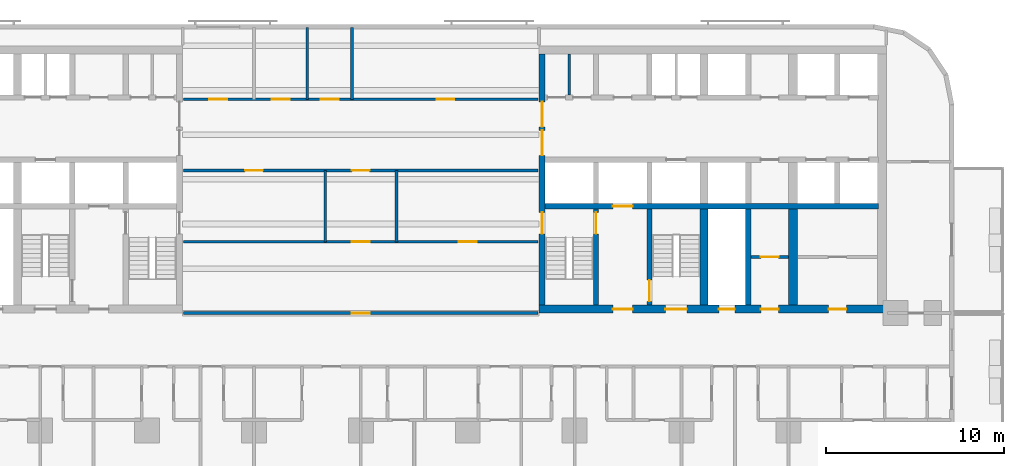
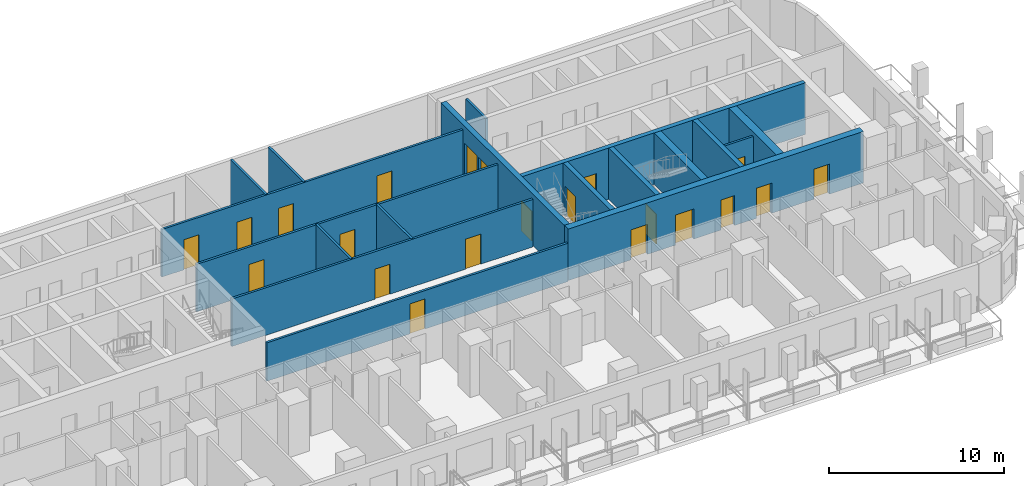
# One storey, part 7 of 15: 21 doors, 18 walls, 21 openings.
"""IFC4 building model written with IfcOpenShell, lengths in metres."""

from ifc_helpers import new_model, si_unit, direction, frame, frame_2d, origin, place, context, subcontext, project, spatial, rectangle, extrude, material, layer, layer_set, type_object, element, fill, save


model = new_model("IFC4")

# Units and contexts
model_context = context("Model", 3, precision=1e-05, world=origin(), true_north=direction((0.0, 1.0)))
body_context = subcontext(model_context, "Body", "Model", "MODEL_VIEW")
ifc_project = project(units=[si_unit("LENGTHUNIT", "METRE"), si_unit("AREAUNIT", "SQUARE_METRE"), si_unit("VOLUMEUNIT", "CUBIC_METRE"), si_unit("PLANEANGLEUNIT", "RADIAN"), si_unit("MASSUNIT", "GRAM", prefix="KILO")], contexts=[model_context])

# Site, building, storey
site_placement = place(None, origin())
site = spatial("IfcSite", under=ifc_project, at=site_placement, CompositionType="ELEMENT")
building_placement = place(site_placement, origin())
building = spatial("IfcBuilding", under=site, at=building_placement, Name="Torana Hotel and Residences", CompositionType="ELEMENT")
storey_placement = place(building_placement, frame((0.0, 0.0, 70.800048828125)))
storey = spatial("IfcBuildingStorey", under=building, at=storey_placement, Name="L17", CompositionType="ELEMENT", Elevation=70.800048828125)

# Wall, opening, door
ifc_material_1 = material(Name="Concrete C80/95", Category="concrete")
ifc_layer_1 = layer(ifc_material_1, 0.300048828125)
ifc_layer_set_1 = layer_set([ifc_layer_1], Name="CORE WALL 300 C80/95")
wall_type_1 = type_object("IfcWallType", Name="CORE WALL 300 C80/95", PredefinedType="SHEAR", material=ifc_layer_set_1)
wall_1_placement = place(storey_placement, frame((10.35009765625, -9.0, 0.0), z_axis=(0.0, 0.0, 1.0), x_axis=(1.0, 0.0, 0.0)))
wall_1 = element("IfcWall", 1, at=wall_1_placement, inside=storey, type_object=wall_type_1, Name="Core wall E band", PredefinedType="SHEAR", context=body_context, shape_type="SweptSolid", body=[
    extrude(rectangle(XDim=18.699951171875, YDim=0.300048828125, at=frame_2d((9.35009765625, 0.0))), origin(), (0.0, 0.0, 1.0), 3.599853515625),
])
opening_1_placement = place(wall_1_placement, frame((3.800048828125, 0.0, 0.0)))
opening_1 = element("IfcOpeningElement", 2, at=opening_1_placement, cuts=wall_1, Name="Opening LD", PredefinedType="OPENING", context=body_context, shape_type="SweptSolid", body=[
    extrude(rectangle(XDim=1.10009765625, YDim=2.10009765625, at=frame_2d((0.550048828125, 1.050048828125))), frame((0.0, 0.159912109375, 0.0), z_axis=(0.0, -1.0, 0.0), x_axis=(1.0, 0.0, 0.0)), (0.0, 0.0, 1.0), 0.320068359375),
])
ifc_material_2 = material(Name="Stainless steel 316", Category="steel")
door_type_1 = type_object("IfcDoorType", Name="LIFT LANDING DOOR LD 1100x2100", OperationType="DOUBLE_DOOR_SLIDING", PredefinedType="USERDEFINED", material=ifc_material_2)
door_1_placement = place(opening_1_placement, origin())
door_1 = element("IfcDoor", 3, at=door_1_placement, inside=storey, type_object=door_type_1, Name="Lift landing door FF2 L17", ObjectType="LIFT LANDING DOOR", OperationType="DOUBLE_DOOR_SLIDING", OverallHeight=2.10009765625, OverallWidth=1.10009765625, PredefinedType="USERDEFINED", context=body_context, shape_type="SweptSolid", body=[
    extrude(rectangle(XDim=1.10009765625, YDim=2.10009765625, at=frame_2d((0.550048828125, 1.050048828125))), frame((0.0, 0.02490234375, 0.0), z_axis=(0.0, -1.0, 0.0), x_axis=(1.0, 0.0, 0.0)), (0.0, 0.0, 1.0), 0.050048828125),
])
fill(opening_1, door_1)

wall_2_placement = place(storey_placement, frame((13.199951171875, -14.550048828125, 0.0), z_axis=(0.0, 0.0, 1.0), x_axis=(0.0, 1.0, 0.0)))
wall_2 = element("IfcWall", 4, at=wall_2_placement, inside=storey, type_object=wall_type_1, Name="Core wall E x3.05-band", PredefinedType="SHEAR", context=body_context, shape_type="SweptSolid", body=[
    extrude(rectangle(XDim=5.400146484375, YDim=0.300048828125, at=frame_2d((2.7001953125, 0.0))), origin(), (0.0, 0.0, 1.0), 3.599853515625),
])
opening_2_placement = place(wall_2_placement, frame((4.0, 0.0, 0.0)))
opening_2 = element("IfcOpeningElement", 5, at=opening_2_placement, cuts=wall_2, Name="Opening L17-33", PredefinedType="OPENING", context=body_context, shape_type="SweptSolid", body=[
    extrude(rectangle(XDim=1.199951171875, YDim=2.10009765625, at=frame_2d((0.60009765625, 1.050048828125))), frame((0.0, 0.159912109375, 0.0), z_axis=(0.0, -1.0, 0.0), x_axis=(1.0, 0.0, 0.0)), (0.0, 0.0, 1.0), 0.320068359375),
])
ifc_material_3 = material(Name="Steel S235", Category="steel")
door_type_2 = type_object("IfcDoorType", Name="STAIR FIRE DOOR D3 1200x2100", OperationType="SINGLE_SWING_LEFT", PredefinedType="DOOR", material=ifc_material_3)
door_2_placement = place(opening_2_placement, origin())
door_2 = element("IfcDoor", 6, at=door_2_placement, inside=storey, type_object=door_type_2, Name="Stair-A-lobby door L17", OperationType="SINGLE_SWING_LEFT", OverallHeight=2.10009765625, OverallWidth=1.199951171875, PredefinedType="DOOR", context=body_context, shape_type="SweptSolid", body=[
    extrude(rectangle(XDim=1.199951171875, YDim=2.10009765625, at=frame_2d((0.60009765625, 1.050048828125))), frame((0.0, 0.02490234375, 0.0), z_axis=(0.0, -1.0, 0.0), x_axis=(1.0, 0.0, 0.0)), (0.0, 0.0, 1.0), 0.050048828125),
])
fill(opening_2, door_2)

wall_3_placement = place(storey_placement, frame((16.199951171875, -14.550048828125, 0.0), z_axis=(0.0, 0.0, 1.0), x_axis=(0.0, 1.0, 0.0)))
wall_3 = element("IfcWall", 7, at=wall_3_placement, inside=storey, type_object=wall_type_1, Name="Core wall E x6.05-band", PredefinedType="SHEAR", context=body_context, shape_type="SweptSolid", body=[
    extrude(rectangle(XDim=5.400146484375, YDim=0.300048828125, at=frame_2d((2.7001953125, 0.0))), origin(), (0.0, 0.0, 1.0), 3.599853515625),
])
opening_3_placement = place(wall_3_placement, frame((0.199951171875, 0.0, 0.0)))
opening_3 = element("IfcOpeningElement", 8, at=opening_3_placement, cuts=wall_3, Name="Opening L17-34", PredefinedType="OPENING", context=body_context, shape_type="SweptSolid", body=[
    extrude(rectangle(XDim=1.199951171875, YDim=2.10009765625, at=frame_2d((0.60009765625, 1.050048828125))), frame((0.0, 0.159912109375, 0.0), z_axis=(0.0, -1.0, 0.0), x_axis=(1.0, 0.0, 0.0)), (0.0, 0.0, 1.0), 0.320068359375),
])
door_3_placement = place(opening_3_placement, frame((0.60009765625, 0.0, 0.0), z_axis=(0.0, 0.0, 1.0), x_axis=(-1.0, 0.0, 0.0)))
door_3 = element("IfcDoor", 9, at=door_3_placement, inside=storey, type_object=door_type_2, Name="Stair-B-lobby door L17", OperationType="SINGLE_SWING_LEFT", OverallHeight=2.10009765625, OverallWidth=1.199951171875, PredefinedType="DOOR", context=body_context, shape_type="SweptSolid", body=[
    extrude(rectangle(XDim=1.199951171875, YDim=2.10009765625, at=frame_2d((0.0, 1.050048828125))), frame((0.0, -0.02490234375, 0.0), z_axis=(0.0, 1.0, 0.0), x_axis=(-1.0, 0.0, 0.0)), (0.0, 0.0, 1.0), 0.050048828125),
])
fill(opening_3, door_3)

# Wall
wall_4_placement = place(storey_placement, frame((21.75, -14.550048828125, 0.0), z_axis=(0.0, 0.0, 1.0), x_axis=(0.0, 1.0, 0.0)))
element("IfcWall", 10, at=wall_4_placement, inside=storey, type_object=wall_type_1, Name="Core wall E mm-band", PredefinedType="SHEAR", context=body_context, shape_type="SweptSolid", body=[
    extrude(rectangle(XDim=5.400146484375, YDim=0.300048828125, at=frame_2d((2.7001953125, 0.0))), origin(), (0.0, 0.0, 1.0), 3.599853515625),
])

# Wall, openings, doors
ifc_material_4 = material(Name="Concrete C80/95", Category="concrete")
ifc_layer_2 = layer(ifc_material_4, 0.35009765625)
ifc_layer_set_2 = layer_set([ifc_layer_2], Name="CORE WALL 350 C80/95")
wall_type_2 = type_object("IfcWallType", Name="CORE WALL 350 C80/95", PredefinedType="SHEAR", material=ifc_layer_set_2)
wall_5_placement = place(storey_placement, frame((10.175048828125, -14.550048828125, 0.0), z_axis=(0.0, 0.0, 1.0), x_axis=(0.0, 1.0, 0.0)))
wall_5 = element("IfcWall", 11, at=wall_5_placement, inside=storey, type_object=wall_type_2, Name="Core wall E arch", PredefinedType="SHEAR", context=body_context, shape_type="SweptSolid", body=[
    extrude(rectangle(XDim=14.10009765625, YDim=0.35009765625, at=frame_2d((7.050048828125, 0.0))), origin(), (0.0, 0.0, 1.0), 3.599853515625),
])
opening_4_placement = place(wall_5_placement, frame((8.39990234375, 0.0, 0.0)))
opening_4 = element("IfcOpeningElement", 12, at=opening_4_placement, cuts=wall_5, Name="Opening L17-18", PredefinedType="OPENING", context=body_context, shape_type="SweptSolid", body=[
    extrude(rectangle(XDim=1.39990234375, YDim=2.39990234375, at=frame_2d((0.699951171875, 1.199951171875))), frame((0.0, 0.18505859375, 0.0), z_axis=(0.0, -1.0, 0.0), x_axis=(1.0, 0.0, 0.0)), (0.0, 0.0, 1.0), 0.3701171875),
])
opening_5_placement = place(wall_5_placement, frame((10.0, 0.0, 0.0)))
opening_5 = element("IfcOpeningElement", 13, at=opening_5_placement, cuts=wall_5, Name="Opening L17-19", PredefinedType="OPENING", context=body_context, shape_type="SweptSolid", body=[
    extrude(rectangle(XDim=1.39990234375, YDim=2.39990234375, at=frame_2d((0.699951171875, 1.199951171875))), frame((0.0, 0.18505859375, 0.0), z_axis=(0.0, -1.0, 0.0), x_axis=(1.0, 0.0, 0.0)), (0.0, 0.0, 1.0), 0.3701171875),
])
opening_6_placement = place(wall_5_placement, frame((4.0, 0.0, 0.0)))
opening_6 = element("IfcOpeningElement", 14, at=opening_6_placement, cuts=wall_5, Name="Opening L17-20", PredefinedType="OPENING", context=body_context, shape_type="SweptSolid", body=[
    extrude(rectangle(XDim=1.199951171875, YDim=2.10009765625, at=frame_2d((0.60009765625, 1.050048828125))), frame((0.0, 0.18505859375, 0.0), z_axis=(0.0, -1.0, 0.0), x_axis=(1.0, 0.0, 0.0)), (0.0, 0.0, 1.0), 0.3701171875),
])
ifc_material_5 = material(Name="Steel S235", Category="steel")
door_type_3 = type_object("IfcDoorType", Name="LOBBY FIRE DOOR D4 1400x2400", OperationType="DOUBLE_DOOR_SINGLE_SWING", PredefinedType="DOOR", material=ifc_material_5)
door_4_placement = place(opening_4_placement, origin())
door_4 = element("IfcDoor", 15, at=door_4_placement, inside=storey, type_object=door_type_3, Name="Lobby-1 door L17", OperationType="DOUBLE_DOOR_SINGLE_SWING", OverallHeight=2.39990234375, OverallWidth=1.39990234375, PredefinedType="DOOR", context=body_context, shape_type="SweptSolid", body=[
    extrude(rectangle(XDim=1.39990234375, YDim=2.39990234375, at=frame_2d((0.699951171875, 1.199951171875))), frame((0.0, 0.02490234375, 0.0), z_axis=(0.0, -1.0, 0.0), x_axis=(1.0, 0.0, 0.0)), (0.0, 0.0, 1.0), 0.050048828125),
])
fill(opening_4, door_4)
door_5_placement = place(opening_5_placement, origin())
door_5 = element("IfcDoor", 16, at=door_5_placement, inside=storey, type_object=door_type_3, Name="Lobby-2 door L17", OperationType="DOUBLE_DOOR_SINGLE_SWING", OverallHeight=2.39990234375, OverallWidth=1.39990234375, PredefinedType="DOOR", context=body_context, shape_type="SweptSolid", body=[
    extrude(rectangle(XDim=1.39990234375, YDim=2.39990234375, at=frame_2d((0.699951171875, 1.199951171875))), frame((0.0, 0.02490234375, 0.0), z_axis=(0.0, -1.0, 0.0), x_axis=(1.0, 0.0, 0.0)), (0.0, 0.0, 1.0), 0.050048828125),
])
fill(opening_5, door_5)
door_6_placement = place(opening_6_placement, frame((0.60009765625, 0.0, 0.0), z_axis=(0.0, 0.0, 1.0), x_axis=(-1.0, 0.0, 0.0)))
door_6 = element("IfcDoor", 17, at=door_6_placement, inside=storey, type_object=door_type_2, Name="Stair-A door L17", OperationType="SINGLE_SWING_RIGHT", OverallHeight=2.10009765625, OverallWidth=1.199951171875, PredefinedType="DOOR", context=body_context, shape_type="SweptSolid", body=[
    extrude(rectangle(XDim=1.199951171875, YDim=2.10009765625, at=frame_2d((0.0, 1.050048828125))), frame((0.0, -0.02490234375, 0.0), z_axis=(0.0, 1.0, 0.0), x_axis=(-1.0, 0.0, 0.0)), (0.0, 0.0, 1.0), 0.050048828125),
])
fill(opening_6, door_6)

ifc_material_6 = material(Name="Concrete C80/95", Category="concrete")
ifc_layer_3 = layer(ifc_material_6, 0.449951171875)
ifc_layer_set_3 = layer_set([ifc_layer_3], Name="CORE WALL 450 C80/95")
wall_type_3 = type_object("IfcWallType", Name="CORE WALL 450 C80/95", PredefinedType="SHEAR", material=ifc_layer_set_3)
wall_6_placement = place(storey_placement, frame((10.0, -14.77490234375, 0.0), z_axis=(0.0, 0.0, 1.0), x_axis=(1.0, 0.0, 0.0)))
wall_6 = element("IfcWall", 18, at=wall_6_placement, inside=storey, type_object=wall_type_3, Name="Core wall E front", PredefinedType="SHEAR", context=body_context, shape_type="SweptSolid", body=[
    extrude(rectangle(XDim=19.5, YDim=0.449951171875, at=frame_2d((9.75, 0.0))), origin(), (0.0, 0.0, 1.0), 3.599853515625),
])
opening_7_placement = place(wall_6_placement, frame((7.10009765625, 0.0, 0.0)))
opening_7 = element("IfcOpeningElement", 19, at=opening_7_placement, cuts=wall_6, Name="Opening L17-21", PredefinedType="OPENING", context=body_context, shape_type="SweptSolid", body=[
    extrude(rectangle(XDim=1.199951171875, YDim=2.10009765625, at=frame_2d((0.60009765625, 1.050048828125))), frame((0.0, 0.23486328125, 0.0), z_axis=(0.0, -1.0, 0.0), x_axis=(1.0, 0.0, 0.0)), (0.0, 0.0, 1.0), 0.469970703125),
])
opening_8_placement = place(wall_6_placement, frame((4.14990234375, 0.0, 0.0)))
opening_8 = element("IfcOpeningElement", 20, at=opening_8_placement, cuts=wall_6, Name="Opening L17-22", PredefinedType="OPENING", context=body_context, shape_type="SweptSolid", body=[
    extrude(rectangle(XDim=1.10009765625, YDim=2.10009765625, at=frame_2d((0.550048828125, 1.050048828125))), frame((0.0, 0.23486328125, 0.0), z_axis=(0.0, -1.0, 0.0), x_axis=(1.0, 0.0, 0.0)), (0.0, 0.0, 1.0), 0.469970703125),
])
opening_9_placement = place(wall_6_placement, frame((10.10009765625, 0.0, 0.0)))
opening_9 = element("IfcOpeningElement", 21, at=opening_9_placement, cuts=wall_6, Name="Opening L17-23", PredefinedType="OPENING", context=body_context, shape_type="SweptSolid", body=[
    extrude(rectangle(XDim=0.89990234375, YDim=2.10009765625, at=frame_2d((0.449951171875, 1.050048828125))), frame((0.0, 0.23486328125, 0.0), z_axis=(0.0, -1.0, 0.0), x_axis=(1.0, 0.0, 0.0)), (0.0, 0.0, 1.0), 0.469970703125),
])
opening_10_placement = place(wall_6_placement, frame((12.449951171875, 0.0, 0.0)))
opening_10 = element("IfcOpeningElement", 22, at=opening_10_placement, cuts=wall_6, Name="Opening L17-24", PredefinedType="OPENING", context=body_context, shape_type="SweptSolid", body=[
    extrude(rectangle(XDim=1.0, YDim=2.10009765625, at=frame_2d((0.5, 1.050048828125))), frame((0.0, 0.23486328125, 0.0), z_axis=(0.0, -1.0, 0.0), x_axis=(1.0, 0.0, 0.0)), (0.0, 0.0, 1.0), 0.469970703125),
])
opening_11_placement = place(wall_6_placement, frame((16.25, 0.0, 0.0)))
opening_11 = element("IfcOpeningElement", 23, at=opening_11_placement, cuts=wall_6, Name="Opening L17-25", PredefinedType="OPENING", context=body_context, shape_type="SweptSolid", body=[
    extrude(rectangle(XDim=1.0, YDim=2.10009765625, at=frame_2d((0.5, 1.050048828125))), frame((0.0, 0.23486328125, 0.0), z_axis=(0.0, -1.0, 0.0), x_axis=(1.0, 0.0, 0.0)), (0.0, 0.0, 1.0), 0.469970703125),
])
ifc_material_7 = material(Name="Steel S235", Category="steel")
door_type_4 = type_object("IfcDoorType", Name="CORE ROOM FIRE DOOR D14 1000x2100", OperationType="SINGLE_SWING_LEFT", PredefinedType="DOOR", material=ifc_material_7)
door_7_placement = place(opening_10_placement, origin())
door_7 = element("IfcDoor", 24, at=door_7_placement, inside=storey, type_object=door_type_4, Name="M-Room-B door L17", OperationType="SINGLE_SWING_RIGHT", OverallHeight=2.10009765625, OverallWidth=1.0, PredefinedType="DOOR", context=body_context, shape_type="SweptSolid", body=[
    extrude(rectangle(XDim=1.0, YDim=2.10009765625, at=frame_2d((0.5, 1.050048828125))), frame((0.0, 0.02490234375, 0.0), z_axis=(0.0, -1.0, 0.0), x_axis=(1.0, 0.0, 0.0)), (0.0, 0.0, 1.0), 0.050048828125),
])
fill(opening_10, door_7)
door_8_placement = place(opening_11_placement, origin())
door_8 = element("IfcDoor", 25, at=door_8_placement, inside=storey, type_object=door_type_4, Name="L-B door L17", OperationType="SINGLE_SWING_RIGHT", OverallHeight=2.10009765625, OverallWidth=1.0, PredefinedType="DOOR", context=body_context, shape_type="SweptSolid", body=[
    extrude(rectangle(XDim=1.0, YDim=2.10009765625, at=frame_2d((0.5, 1.050048828125))), frame((0.0, 0.02490234375, 0.0), z_axis=(0.0, -1.0, 0.0), x_axis=(1.0, 0.0, 0.0)), (0.0, 0.0, 1.0), 0.050048828125),
])
fill(opening_11, door_8)
ifc_material_8 = material(Name="Steel S235", Category="steel")
door_type_5 = type_object("IfcDoorType", Name="FIRE-FIGHTING LOBBY DOOR D8 1100x2100", OperationType="SINGLE_SWING_LEFT", PredefinedType="DOOR", material=ifc_material_8)
door_9_placement = place(opening_8_placement, origin())
door_9 = element("IfcDoor", 26, at=door_9_placement, inside=storey, type_object=door_type_5, Name="FF-lobby door L17", OperationType="SINGLE_SWING_RIGHT", OverallHeight=2.10009765625, OverallWidth=1.10009765625, PredefinedType="DOOR", context=body_context, shape_type="SweptSolid", body=[
    extrude(rectangle(XDim=1.10009765625, YDim=2.10009765625, at=frame_2d((0.550048828125, 1.050048828125))), frame((0.0, 0.02490234375, 0.0), z_axis=(0.0, -1.0, 0.0), x_axis=(1.0, 0.0, 0.0)), (0.0, 0.0, 1.0), 0.050048828125),
])
fill(opening_8, door_9)
ifc_material_9 = material(Name="Steel S235", Category="steel")
door_type_6 = type_object("IfcDoorType", Name="RISER ACCESS DOOR D5 900x2100", OperationType="SINGLE_SWING_LEFT", PredefinedType="DOOR", material=ifc_material_9)
door_10_placement = place(opening_9_placement, origin())
door_10 = element("IfcDoor", 27, at=door_10_placement, inside=storey, type_object=door_type_6, Name="M-Riser door L17", OperationType="SINGLE_SWING_RIGHT", OverallHeight=2.10009765625, OverallWidth=0.89990234375, PredefinedType="DOOR", context=body_context, shape_type="SweptSolid", body=[
    extrude(rectangle(XDim=0.89990234375, YDim=2.10009765625, at=frame_2d((0.449951171875, 1.050048828125))), frame((0.0, 0.02490234375, 0.0), z_axis=(0.0, -1.0, 0.0), x_axis=(1.0, 0.0, 0.0)), (0.0, 0.0, 1.0), 0.050048828125),
])
fill(opening_9, door_10)
door_11_placement = place(opening_7_placement, origin())
door_11 = element("IfcDoor", 28, at=door_11_placement, inside=storey, type_object=door_type_2, Name="Stair-B door L17", OperationType="SINGLE_SWING_RIGHT", OverallHeight=2.10009765625, OverallWidth=1.199951171875, PredefinedType="DOOR", context=body_context, shape_type="SweptSolid", body=[
    extrude(rectangle(XDim=1.199951171875, YDim=2.10009765625, at=frame_2d((0.60009765625, 1.050048828125))), frame((0.0, 0.02490234375, 0.0), z_axis=(0.0, -1.0, 0.0), x_axis=(1.0, 0.0, 0.0)), (0.0, 0.0, 1.0), 0.050048828125),
])
fill(opening_7, door_11)

# Walls
wall_7_placement = place(storey_placement, frame((19.27490234375, -14.550048828125, 0.0), z_axis=(0.0, 0.0, 1.0), x_axis=(0.0, 1.0, 0.0)))
element("IfcWall", 29, at=wall_7_placement, inside=storey, type_object=wall_type_3, Name="Core wall E hm-band", PredefinedType="SHEAR", context=body_context, shape_type="SweptSolid", body=[
    extrude(rectangle(XDim=5.400146484375, YDim=0.449951171875, at=frame_2d((2.7001953125, 0.0))), origin(), (0.0, 0.0, 1.0), 3.599853515625),
])
ifc_material_10 = material(Name="Concrete C80/95", Category="concrete")
ifc_layer_4 = layer(ifc_material_10, 0.5)
ifc_layer_set_4 = layer_set([ifc_layer_4], Name="CORE WALL 500 C80/95")
wall_type_4 = type_object("IfcWallType", Name="CORE WALL 500 C80/95", PredefinedType="SHEAR", material=ifc_layer_set_4)
wall_8_placement = place(storey_placement, frame((24.25, -14.550048828125, 0.0), z_axis=(0.0, 0.0, 1.0), x_axis=(0.0, 1.0, 0.0)))
element("IfcWall", 30, at=wall_8_placement, inside=storey, type_object=wall_type_4, Name="Core wall E ml-band", PredefinedType="SHEAR", context=body_context, shape_type="SweptSolid", body=[
    extrude(rectangle(XDim=5.400146484375, YDim=0.5, at=frame_2d((2.7001953125, 0.0))), origin(), (0.0, 0.0, 1.0), 3.599853515625),
])
ifc_material_11 = material(Name="Gypsum plaster")
ifc_layer_5 = layer(ifc_material_11, 0.014892578125, Name="Plaster", Category="finish")
ifc_material_12 = material(Name="Concrete blockwork", Category="masonry")
ifc_layer_6 = layer(ifc_material_12, 0.1201171875, Name="Blockwork", Category="structure")
ifc_layer_7 = layer(ifc_material_11, 0.014892578125, Name="Plaster", Category="finish")
ifc_layer_set_5 = layer_set([ifc_layer_5, ifc_layer_6, ifc_layer_7], Name="FIRE PARTITION 150 BLOCKWORK")
wall_type_5 = type_object("IfcWallType", Name="FIRE PARTITION 150 BLOCKWORK", PredefinedType="PARTITIONING", material=ifc_layer_set_5)
wall_9_placement = place(storey_placement, frame((11.699951171875, -2.75, 0.0), z_axis=(0.0, 0.0, 1.0), x_axis=(0.0, 1.0, 0.0)))
element("IfcWall", 31, at=wall_9_placement, inside=storey, type_object=wall_type_5, Name="Core partition L17", PredefinedType="PARTITIONING", context=body_context, shape_type="SweptSolid", body=[
    extrude(rectangle(XDim=2.300048828125, YDim=0.14990234375, at=frame_2d((1.14990234375, 0.0))), origin(), (0.0, 0.0, 1.0), 3.300048828125),
])

# Wall, opening, door
wall_10_placement = place(storey_placement, frame((21.89990234375, -11.85009765625, 0.0), z_axis=(0.0, 0.0, 1.0), x_axis=(1.0, 0.0, 0.0)))
wall_10 = element("IfcWall", 32, at=wall_10_placement, inside=storey, type_object=wall_type_5, Name="Core partition L17", PredefinedType="PARTITIONING", context=body_context, shape_type="SweptSolid", body=[
    extrude(rectangle(XDim=2.10009765625, YDim=0.14990234375, at=frame_2d((1.050048828125, 0.0))), origin(), (0.0, 0.0, 1.0), 3.300048828125),
])
opening_12_placement = place(wall_10_placement, frame((0.550048828125, 0.0, 0.0)))
opening_12 = element("IfcOpeningElement", 33, at=opening_12_placement, cuts=wall_10, Name="Opening L17-37", PredefinedType="OPENING", context=body_context, shape_type="SweptSolid", body=[
    extrude(rectangle(XDim=1.0, YDim=2.10009765625, at=frame_2d((0.5, 1.050048828125))), frame((0.0, 0.0849609375, 0.0), z_axis=(0.0, -1.0, 0.0), x_axis=(1.0, 0.0, 0.0)), (0.0, 0.0, 1.0), 0.169921875),
])
door_12_placement = place(opening_12_placement, origin())
door_12 = element("IfcDoor", 34, at=door_12_placement, inside=storey, type_object=door_type_4, Name="Plant room door L17", OperationType="SINGLE_SWING_RIGHT", OverallHeight=2.10009765625, OverallWidth=1.0, PredefinedType="DOOR", context=body_context, shape_type="SweptSolid", body=[
    extrude(rectangle(XDim=1.0, YDim=2.10009765625, at=frame_2d((0.5, 1.050048828125))), frame((0.0, 0.02490234375, 0.0), z_axis=(0.0, -1.0, 0.0), x_axis=(1.0, 0.0, 0.0)), (0.0, 0.0, 1.0), 0.050048828125),
])
fill(opening_12, door_12)

# Walls
for number, where, z_axis, x_axis, name in (
    (35, (2.0, -11.0, 0.0), (0.0, 0.0, 1.0), (0.0, 1.0, 0.0), "Partition L17"),
    (36, (-2.0, -11.0, 0.0), (0.0, 0.0, 1.0), (0.0, 1.0, 0.0), "Partition L17"),
):
    element("IfcWall", number, at=place(storey_placement, frame(where, z_axis=z_axis, x_axis=x_axis)), inside=storey, type_object=wall_type_5, Name=name, PredefinedType="PARTITIONING", context=body_context, shape_type="SweptSolid", body=[
        extrude(rectangle(XDim=4.0, YDim=0.14990234375, at=frame_2d((2.0, 0.0))), origin(), (0.0, 0.0, 1.0), 3.320068359375),
    ])

# Wall, opening, door
wall_11_placement = place(storey_placement, frame((-9.949951171875, -15.0, 0.0), z_axis=(0.0, 0.0, 1.0), x_axis=(1.0, 0.0, 0.0)))
wall_11 = element("IfcWall", 37, at=wall_11_placement, inside=storey, type_object=wall_type_5, Name="Partition L17", PredefinedType="PARTITIONING", context=body_context, shape_type="SweptSolid", body=[
    extrude(rectangle(XDim=19.89990234375, YDim=0.14990234375, at=frame_2d((9.949951171875, 0.0))), origin(), (0.0, 0.0, 1.0), 2.683837890625),
])
opening_13_placement = place(wall_11_placement, frame((9.449951171875, 0.0, 0.0)))
opening_13 = element("IfcOpeningElement", 38, at=opening_13_placement, cuts=wall_11, Name="Opening L17-39", PredefinedType="OPENING", context=body_context, shape_type="SweptSolid", body=[
    extrude(rectangle(XDim=1.0, YDim=2.10009765625, at=frame_2d((0.5, 1.050048828125))), frame((0.0, 0.0849609375, 0.0), z_axis=(0.0, -1.0, 0.0), x_axis=(1.0, 0.0, 0.0)), (0.0, 0.0, 1.0), 0.169921875),
])
ifc_material_13 = material(Name="Steel S235", Category="steel")
door_type_7 = type_object("IfcDoorType", Name="ENTRY FIRE DOOR D6 1000x2100", OperationType="SINGLE_SWING_LEFT", PredefinedType="DOOR", material=ifc_material_13)
door_13_placement = place(opening_13_placement, origin())
door_13 = element("IfcDoor", 39, at=door_13_placement, inside=storey, type_object=door_type_7, Name="Door L17", OperationType="SINGLE_SWING_RIGHT", OverallHeight=2.10009765625, OverallWidth=1.0, PredefinedType="DOOR", context=body_context, shape_type="SweptSolid", body=[
    extrude(rectangle(XDim=1.0, YDim=2.10009765625, at=frame_2d((0.5, 1.050048828125))), frame((0.0, 0.02490234375, 0.0), z_axis=(0.0, -1.0, 0.0), x_axis=(1.0, 0.0, 0.0)), (0.0, 0.0, 1.0), 0.050048828125),
])
fill(opening_13, door_13)

# Wall, openings, doors
wall_12_placement = place(storey_placement, frame((-9.949951171875, -11.0, 0.0), z_axis=(0.0, 0.0, 1.0), x_axis=(1.0, 0.0, 0.0)))
wall_12 = element("IfcWall", 40, at=wall_12_placement, inside=storey, type_object=wall_type_5, Name="Partition L17", PredefinedType="PARTITIONING", context=body_context, shape_type="SweptSolid", body=[
    extrude(rectangle(XDim=19.89990234375, YDim=0.14990234375, at=frame_2d((9.949951171875, 0.0))), origin(), (0.0, 0.0, 1.0), 3.320068359375),
])
opening_14_placement = place(wall_12_placement, frame((9.449951171875, 0.0, 0.0)))
opening_14 = element("IfcOpeningElement", 41, at=opening_14_placement, cuts=wall_12, Name="Opening L17-53", PredefinedType="OPENING", context=body_context, shape_type="SweptSolid", body=[
    extrude(rectangle(XDim=1.0, YDim=2.10009765625, at=frame_2d((0.5, 1.050048828125))), frame((0.0, 0.0849609375, 0.0), z_axis=(0.0, -1.0, 0.0), x_axis=(1.0, 0.0, 0.0)), (0.0, 0.0, 1.0), 0.169921875),
])
opening_15_placement = place(wall_12_placement, frame((15.449951171875, 0.0, 0.0)))
opening_15 = element("IfcOpeningElement", 42, at=opening_15_placement, cuts=wall_12, Name="Opening L17-54", PredefinedType="OPENING", context=body_context, shape_type="SweptSolid", body=[
    extrude(rectangle(XDim=1.0, YDim=2.10009765625, at=frame_2d((0.5, 1.050048828125))), frame((0.0, 0.0849609375, 0.0), z_axis=(0.0, -1.0, 0.0), x_axis=(1.0, 0.0, 0.0)), (0.0, 0.0, 1.0), 0.169921875),
])
door_14_placement = place(opening_14_placement, origin())
door_14 = element("IfcDoor", 43, at=door_14_placement, inside=storey, type_object=door_type_7, Name="Door L17", OperationType="SINGLE_SWING_RIGHT", OverallHeight=2.10009765625, OverallWidth=1.0, PredefinedType="DOOR", context=body_context, shape_type="SweptSolid", body=[
    extrude(rectangle(XDim=1.0, YDim=2.10009765625, at=frame_2d((0.5, 1.050048828125))), frame((0.0, 0.02490234375, 0.0), z_axis=(0.0, -1.0, 0.0), x_axis=(1.0, 0.0, 0.0)), (0.0, 0.0, 1.0), 0.050048828125),
])
fill(opening_14, door_14)
door_15_placement = place(opening_15_placement, origin())
door_15 = element("IfcDoor", 44, at=door_15_placement, inside=storey, type_object=door_type_7, Name="Door L17", OperationType="SINGLE_SWING_RIGHT", OverallHeight=2.10009765625, OverallWidth=1.0, PredefinedType="DOOR", context=body_context, shape_type="SweptSolid", body=[
    extrude(rectangle(XDim=1.0, YDim=2.10009765625, at=frame_2d((0.5, 1.050048828125))), frame((0.0, 0.02490234375, 0.0), z_axis=(0.0, -1.0, 0.0), x_axis=(1.0, 0.0, 0.0)), (0.0, 0.0, 1.0), 0.050048828125),
])
fill(opening_15, door_15)

wall_13_placement = place(storey_placement, frame((-9.949951171875, -7.0, 0.0), z_axis=(0.0, 0.0, 1.0), x_axis=(1.0, 0.0, 0.0)))
wall_13 = element("IfcWall", 45, at=wall_13_placement, inside=storey, type_object=wall_type_5, Name="Partition L17", PredefinedType="PARTITIONING", context=body_context, shape_type="SweptSolid", body=[
    extrude(rectangle(XDim=19.89990234375, YDim=0.14990234375, at=frame_2d((9.949951171875, 0.0))), origin(), (0.0, 0.0, 1.0), 3.320068359375),
])
opening_16_placement = place(wall_13_placement, frame((9.449951171875, 0.0, 0.0)))
opening_16 = element("IfcOpeningElement", 46, at=opening_16_placement, cuts=wall_13, Name="Opening L17-55", PredefinedType="OPENING", context=body_context, shape_type="SweptSolid", body=[
    extrude(rectangle(XDim=1.0, YDim=2.10009765625, at=frame_2d((0.5, 1.050048828125))), frame((0.0, 0.0849609375, 0.0), z_axis=(0.0, -1.0, 0.0), x_axis=(1.0, 0.0, 0.0)), (0.0, 0.0, 1.0), 0.169921875),
])
opening_17_placement = place(wall_13_placement, frame((3.449951171875, 0.0, 0.0)))
opening_17 = element("IfcOpeningElement", 47, at=opening_17_placement, cuts=wall_13, Name="Opening L17-56", PredefinedType="OPENING", context=body_context, shape_type="SweptSolid", body=[
    extrude(rectangle(XDim=1.0, YDim=2.10009765625, at=frame_2d((0.5, 1.050048828125))), frame((0.0, 0.0849609375, 0.0), z_axis=(0.0, -1.0, 0.0), x_axis=(1.0, 0.0, 0.0)), (0.0, 0.0, 1.0), 0.169921875),
])
door_16_placement = place(opening_16_placement, origin())
door_16 = element("IfcDoor", 48, at=door_16_placement, inside=storey, type_object=door_type_7, Name="Door L17", OperationType="SINGLE_SWING_RIGHT", OverallHeight=2.10009765625, OverallWidth=1.0, PredefinedType="DOOR", context=body_context, shape_type="SweptSolid", body=[
    extrude(rectangle(XDim=1.0, YDim=2.10009765625, at=frame_2d((0.5, 1.050048828125))), frame((0.0, 0.02490234375, 0.0), z_axis=(0.0, -1.0, 0.0), x_axis=(1.0, 0.0, 0.0)), (0.0, 0.0, 1.0), 0.050048828125),
])
fill(opening_16, door_16)
door_17_placement = place(opening_17_placement, frame((0.5, 0.0, 0.0), z_axis=(0.0, 0.0, 1.0), x_axis=(-1.0, 0.0, 0.0)))
door_17 = element("IfcDoor", 49, at=door_17_placement, inside=storey, type_object=door_type_7, Name="Door L17", OperationType="SINGLE_SWING_LEFT", OverallHeight=2.10009765625, OverallWidth=1.0, PredefinedType="DOOR", context=body_context, shape_type="SweptSolid", body=[
    extrude(rectangle(XDim=1.0, YDim=2.10009765625, at=frame_2d((0.0, 1.050048828125))), frame((0.0, -0.02490234375, 0.0), z_axis=(0.0, 1.0, 0.0), x_axis=(-1.0, 0.0, 0.0)), (0.0, 0.0, 1.0), 0.050048828125),
])
fill(opening_17, door_17)

wall_14_placement = place(storey_placement, frame((-9.949951171875, -3.0, 0.0), z_axis=(0.0, 0.0, 1.0), x_axis=(1.0, 0.0, 0.0)))
wall_14 = element("IfcWall", 50, at=wall_14_placement, inside=storey, type_object=wall_type_5, Name="Partition L17", PredefinedType="PARTITIONING", context=body_context, shape_type="SweptSolid", body=[
    extrude(rectangle(XDim=19.89990234375, YDim=0.14990234375, at=frame_2d((9.949951171875, 0.0))), origin(), (0.0, 0.0, 1.0), 3.320068359375),
])
opening_18_placement = place(wall_14_placement, frame((1.449951171875, 0.0, 0.0)))
opening_18 = element("IfcOpeningElement", 51, at=opening_18_placement, cuts=wall_14, Name="Opening L17-57", PredefinedType="OPENING", context=body_context, shape_type="SweptSolid", body=[
    extrude(rectangle(XDim=1.0, YDim=2.10009765625, at=frame_2d((0.5, 1.050048828125))), frame((0.0, 0.0849609375, 0.0), z_axis=(0.0, -1.0, 0.0), x_axis=(1.0, 0.0, 0.0)), (0.0, 0.0, 1.0), 0.169921875),
])
opening_19_placement = place(wall_14_placement, frame((4.949951171875, 0.0, 0.0)))
opening_19 = element("IfcOpeningElement", 52, at=opening_19_placement, cuts=wall_14, Name="Opening L17-58", PredefinedType="OPENING", context=body_context, shape_type="SweptSolid", body=[
    extrude(rectangle(XDim=1.0, YDim=2.10009765625, at=frame_2d((0.5, 1.050048828125))), frame((0.0, 0.0849609375, 0.0), z_axis=(0.0, -1.0, 0.0), x_axis=(1.0, 0.0, 0.0)), (0.0, 0.0, 1.0), 0.169921875),
])
opening_20_placement = place(wall_14_placement, frame((7.699951171875, 0.0, 0.0)))
opening_20 = element("IfcOpeningElement", 53, at=opening_20_placement, cuts=wall_14, Name="Opening L17-59", PredefinedType="OPENING", context=body_context, shape_type="SweptSolid", body=[
    extrude(rectangle(XDim=1.0, YDim=2.10009765625, at=frame_2d((0.5, 1.050048828125))), frame((0.0, 0.0849609375, 0.0), z_axis=(0.0, -1.0, 0.0), x_axis=(1.0, 0.0, 0.0)), (0.0, 0.0, 1.0), 0.169921875),
])
opening_21_placement = place(wall_14_placement, frame((14.199951171875, 0.0, 0.0)))
opening_21 = element("IfcOpeningElement", 54, at=opening_21_placement, cuts=wall_14, Name="Opening L17-60", PredefinedType="OPENING", context=body_context, shape_type="SweptSolid", body=[
    extrude(rectangle(XDim=1.0, YDim=2.10009765625, at=frame_2d((0.5, 1.050048828125))), frame((0.0, 0.0849609375, 0.0), z_axis=(0.0, -1.0, 0.0), x_axis=(1.0, 0.0, 0.0)), (0.0, 0.0, 1.0), 0.169921875),
])
door_18_placement = place(opening_18_placement, origin())
door_18 = element("IfcDoor", 55, at=door_18_placement, inside=storey, type_object=door_type_7, Name="Door L17", OperationType="SINGLE_SWING_RIGHT", OverallHeight=2.10009765625, OverallWidth=1.0, PredefinedType="DOOR", context=body_context, shape_type="SweptSolid", body=[
    extrude(rectangle(XDim=1.0, YDim=2.10009765625, at=frame_2d((0.5, 1.050048828125))), frame((0.0, 0.02490234375, 0.0), z_axis=(0.0, -1.0, 0.0), x_axis=(1.0, 0.0, 0.0)), (0.0, 0.0, 1.0), 0.050048828125),
])
fill(opening_18, door_18)
door_19_placement = place(opening_19_placement, origin())
door_19 = element("IfcDoor", 56, at=door_19_placement, inside=storey, type_object=door_type_7, Name="Door L17", OperationType="SINGLE_SWING_RIGHT", OverallHeight=2.10009765625, OverallWidth=1.0, PredefinedType="DOOR", context=body_context, shape_type="SweptSolid", body=[
    extrude(rectangle(XDim=1.0, YDim=2.10009765625, at=frame_2d((0.5, 1.050048828125))), frame((0.0, 0.02490234375, 0.0), z_axis=(0.0, -1.0, 0.0), x_axis=(1.0, 0.0, 0.0)), (0.0, 0.0, 1.0), 0.050048828125),
])
fill(opening_19, door_19)
door_20_placement = place(opening_20_placement, origin())
door_20 = element("IfcDoor", 57, at=door_20_placement, inside=storey, type_object=door_type_7, Name="Door L17", OperationType="SINGLE_SWING_RIGHT", OverallHeight=2.10009765625, OverallWidth=1.0, PredefinedType="DOOR", context=body_context, shape_type="SweptSolid", body=[
    extrude(rectangle(XDim=1.0, YDim=2.10009765625, at=frame_2d((0.5, 1.050048828125))), frame((0.0, 0.02490234375, 0.0), z_axis=(0.0, -1.0, 0.0), x_axis=(1.0, 0.0, 0.0)), (0.0, 0.0, 1.0), 0.050048828125),
])
fill(opening_20, door_20)
door_21_placement = place(opening_21_placement, origin())
door_21 = element("IfcDoor", 58, at=door_21_placement, inside=storey, type_object=door_type_7, Name="Door L17", OperationType="SINGLE_SWING_RIGHT", OverallHeight=2.10009765625, OverallWidth=1.0, PredefinedType="DOOR", context=body_context, shape_type="SweptSolid", body=[
    extrude(rectangle(XDim=1.0, YDim=2.10009765625, at=frame_2d((0.5, 1.050048828125))), frame((0.0, 0.02490234375, 0.0), z_axis=(0.0, -1.0, 0.0), x_axis=(1.0, 0.0, 0.0)), (0.0, 0.0, 1.0), 0.050048828125),
])
fill(opening_21, door_21)

# Walls
ifc_material_14 = material(Name="Ceramic tile on adhesive")
ifc_layer_8 = layer(ifc_material_14, 0.010009765625, Name="Wall tile", Category="finish")
ifc_material_15 = material(Name="Cement render")
ifc_layer_9 = layer(ifc_material_15, 0.010009765625, Name="Render", Category="finish")
ifc_layer_10 = layer(ifc_material_12, 0.110107421875, Name="Blockwork", Category="structure")
ifc_layer_11 = layer(ifc_material_15, 0.010009765625, Name="Render", Category="finish")
ifc_layer_12 = layer(ifc_material_14, 0.010009765625, Name="Wall tile", Category="finish")
ifc_layer_set_6 = layer_set([ifc_layer_8, ifc_layer_9, ifc_layer_10, ifc_layer_11, ifc_layer_12], Name="WC PARTITION 150")
wall_type_6 = type_object("IfcWallType", Name="WC PARTITION 150", PredefinedType="PLUMBINGWALL", material=ifc_layer_set_6)
for number, where, z_axis, x_axis, name in (
    (59, (-0.5, -3.0, 0.0), (0.0, 0.0, 1.0), (0.0, 1.0, 0.0), "Partition L17"),
    (60, (-3.0, -3.0, 0.0), (0.0, 0.0, 1.0), (0.0, 1.0, 0.0), "Partition L17"),
):
    element("IfcWall", number, at=place(storey_placement, frame(where, z_axis=z_axis, x_axis=x_axis)), inside=storey, type_object=wall_type_6, Name=name, PredefinedType="PLUMBINGWALL", context=body_context, shape_type="SweptSolid", body=[
        extrude(rectangle(XDim=4.02001953125, YDim=0.14990234375, at=frame_2d((2.010009765625, 0.0))), origin(), (0.0, 0.0, 1.0), 3.320068359375),
    ])

save(model, "model.ifc")
